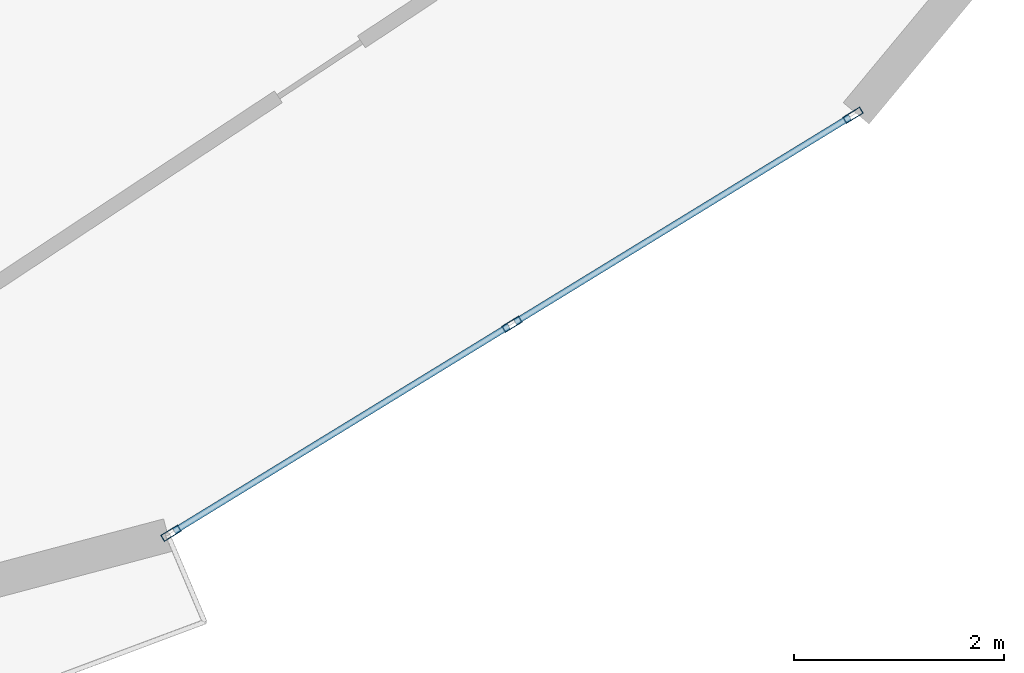
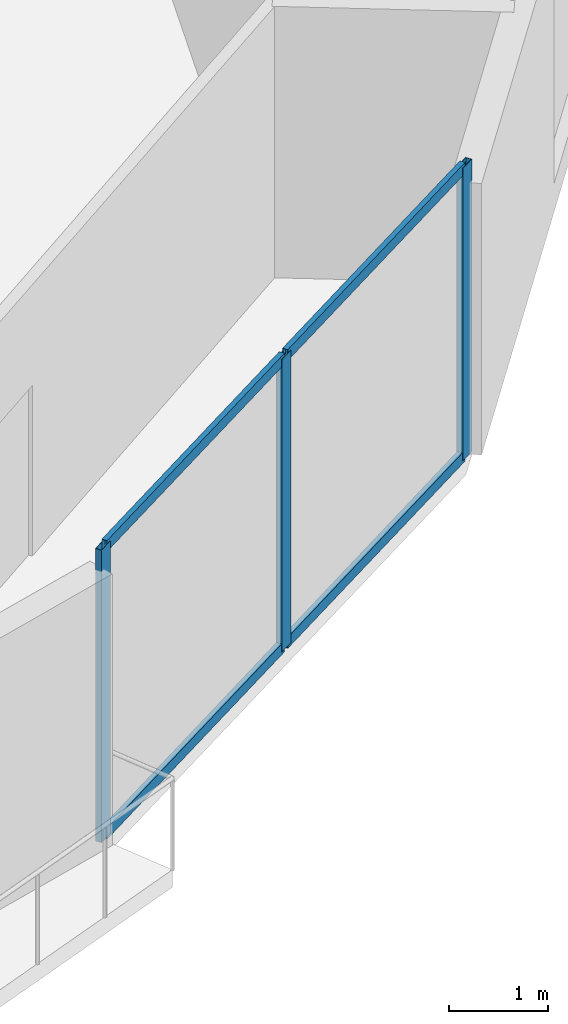
# One storey, part 8 of 23: 7 members, 1 element without a shape of its own.
"""IFC4 building model written with IfcOpenShell, lengths in metres."""

from ifc_helpers import new_model, si_unit, direction, frame, origin, origin_2d, place, context, subcontext, project, spatial, hollow_rectangle, extrude, source, transform, mapped, material, layer, layer_set, material_profile, profile_set, type_object, element, aggregate, save


model = new_model("IFC4")

# Units and contexts
model_context = context("Model", 3, precision=1e-05, world=origin(), true_north=direction((0.0, 1.0)))
body_context = subcontext(model_context, "Body", "Model", "MODEL_VIEW")
ifc_project = project(units=[si_unit("LENGTHUNIT", "METRE"), si_unit("AREAUNIT", "SQUARE_METRE"), si_unit("VOLUMEUNIT", "CUBIC_METRE"), si_unit("PLANEANGLEUNIT", "RADIAN"), si_unit("MASSUNIT", "GRAM", prefix="KILO")], contexts=[model_context])

# Site, building, storey
site_placement = place(None, origin())
site = spatial("IfcSite", under=ifc_project, at=site_placement, CompositionType="ELEMENT")
building_placement = place(site_placement, origin())
building = spatial("IfcBuilding", under=site, at=building_placement, Name="Solvirekh Grand Hotel", CompositionType="ELEMENT")
storey_placement = place(building_placement, frame((0.0, 0.0, 39.199951171875)))
storey = spatial("IfcBuildingStorey", under=building, at=storey_placement, Name="L08", CompositionType="ELEMENT", Elevation=39.199951171875)

# Curtain wall, members
ifc_material = material(Name="Anodized Bronze Aluminium 6063-T6", Category="aluminium")
ifc_layer = layer(ifc_material, 0.18994140625)
ifc_layer_set = layer_set([ifc_layer], Name="Anodized Bronze Aluminium 6063-T6")
curtain_wall_type = type_object("IfcCurtainWallType", Name="CW_Sys2_LowZoneFlushBronzeCW", PredefinedType="NOTDEFINED", material=ifc_layer_set)
curtain_wall_placement = place(storey_placement, origin())
curtain_wall = element("IfcCurtainWall", 1, at=curtain_wall_placement, inside=storey, type_object=curtain_wall_type, Name="L08 unitised bronze-glass curtain wall CW-L08-C18", PredefinedType="NOTDEFINED")
ifc_material_profile_1 = material_profile(ifc_material, hollow_rectangle(XDim=0.070068359375, YDim=0.18994140625, WallThickness=0.0048828125, at=origin_2d()), Name="ALU RHS 190X70X5")
ifc_profile_set_1 = profile_set([ifc_material_profile_1], Name="Anodized Bronze Aluminium 6063-T6")
member_type_1 = type_object("IfcMemberType", Name="CWMullion_Sys2", PredefinedType="MULLION", material=ifc_profile_set_1)
shared_shape_1 = source(origin(), body_context, "Body", "SweptSolid", [
    extrude(hollow_rectangle(XDim=0.070068359375, YDim=0.18994140625, WallThickness=0.0048828125, at=origin_2d()), origin(), (0.0, 0.0, 1.0), 3.60009765625),
])
member_1_placement = place(storey_placement, frame((14.52880859375, -19.74169921875, 0.0), z_axis=(0.0, 0.0, 1.0), x_axis=(-0.522489018681, 0.852646014098, 0.0)))
member_1 = element("IfcMember", 2, at=member_1_placement, type_object=member_type_1, Name="U02 mullion 1", PredefinedType="MULLION", context=body_context, shape_type="MappedRepresentation", body=[
    mapped(shared_shape_1, transform((0.0, 0.0, 0.0), x_axis=(1.0, 0.0, 0.0), y_axis=(0.0, 1.0, 0.0), z_axis=(0.0, 0.0, 1.0), scale=1.0)),
])
member_2_placement = place(storey_placement, frame((17.783935546875, -17.7470703125, 0.0), z_axis=(0.0, 0.0, 1.0), x_axis=(-0.522489018681, 0.852646014098, 0.0)))
member_2 = element("IfcMember", 3, at=member_2_placement, type_object=member_type_1, Name="U02 mullion 2", PredefinedType="MULLION", context=body_context, shape_type="MappedRepresentation", body=[
    mapped(shared_shape_1, transform((0.0, 0.0, 0.0), x_axis=(1.0, 0.0, 0.0), y_axis=(0.0, 1.0, 0.0), z_axis=(0.0, 0.0, 1.0), scale=1.0)),
])
member_3_placement = place(storey_placement, frame((21.0390625, -15.752197265625, 0.0), z_axis=(0.0, 0.0, 1.0), x_axis=(-0.522489018681, 0.852646014098, 0.0)))
member_3 = element("IfcMember", 4, at=member_3_placement, type_object=member_type_1, Name="U02 mullion 3", PredefinedType="MULLION", context=body_context, shape_type="MappedRepresentation", body=[
    mapped(shared_shape_1, transform((0.0, 0.0, 0.0), x_axis=(1.0, 0.0, 0.0), y_axis=(0.0, 1.0, 0.0), z_axis=(0.0, 0.0, 1.0), scale=1.0)),
])
ifc_material_profile_2 = material_profile(ifc_material, hollow_rectangle(XDim=0.06005859375, YDim=0.135009765625, WallThickness=0.00390625, at=origin_2d()), Name="ALU RHS 135X60X4")
ifc_profile_set_2 = profile_set([ifc_material_profile_2], Name="Anodized Bronze Aluminium 6063-T6")
member_type_2 = type_object("IfcMemberType", Name="CWTransom_Sys2", PredefinedType="USERDEFINED", material=ifc_profile_set_2)
shared_shape_2 = source(origin(), body_context, "Body", "SweptSolid", [
    extrude(hollow_rectangle(XDim=0.06005859375, YDim=0.135009765625, WallThickness=0.00390625, at=origin_2d()), origin(), (0.0, 0.0, 1.0), 3.747802734375),
])
member_4_placement = place(storey_placement, frame((14.55859375, -19.723388671875, 0.030029296875), z_axis=(0.852667719824, 0.522453595614, 0.0), x_axis=(-0.522453595614, 0.852667719824, 0.0)))
member_4 = element("IfcMember", 5, at=member_4_placement, type_object=member_type_2, Name="U02 transom 1.1", ObjectType="TRANSOM", PredefinedType="USERDEFINED", context=body_context, shape_type="MappedRepresentation", body=[
    mapped(shared_shape_2, transform((0.0, 0.0, 0.0), x_axis=(1.0, 0.0, 0.0), y_axis=(0.0, 1.0, 0.0), z_axis=(0.0, 0.0, 1.0), scale=1.0)),
])
member_5_placement = place(storey_placement, frame((14.55859375, -19.723388671875, 3.570068359375), z_axis=(0.852667719824, 0.522453595614, 0.0), x_axis=(-0.522453595614, 0.852667719824, 0.0)))
member_5 = element("IfcMember", 6, at=member_5_placement, type_object=member_type_2, Name="U02 transom 1.2", ObjectType="TRANSOM", PredefinedType="USERDEFINED", context=body_context, shape_type="MappedRepresentation", body=[
    mapped(shared_shape_2, transform((0.0, 0.0, 0.0), x_axis=(1.0, 0.0, 0.0), y_axis=(0.0, 1.0, 0.0), z_axis=(0.0, 0.0, 1.0), scale=1.0)),
])
member_6_placement = place(storey_placement, frame((17.813720703125, -17.728759765625, 0.030029296875), z_axis=(0.852638699263, 0.522500955519, 0.0), x_axis=(-0.522500955519, 0.852638699263, 0.0)))
member_6 = element("IfcMember", 7, at=member_6_placement, type_object=member_type_2, Name="U02 transom 2.1", ObjectType="TRANSOM", PredefinedType="USERDEFINED", context=body_context, shape_type="MappedRepresentation", body=[
    mapped(shared_shape_2, transform((0.0, 0.0, 0.0), x_axis=(1.0, 0.0, 0.0), y_axis=(0.0, 1.0, 0.0), z_axis=(0.0, 0.0, 1.0), scale=1.0)),
])
member_7_placement = place(storey_placement, frame((17.813720703125, -17.728759765625, 3.570068359375), z_axis=(0.852638699263, 0.522500955519, 0.0), x_axis=(-0.522500955519, 0.852638699263, 0.0)))
member_7 = element("IfcMember", 8, at=member_7_placement, type_object=member_type_2, Name="U02 transom 2.2", ObjectType="TRANSOM", PredefinedType="USERDEFINED", context=body_context, shape_type="MappedRepresentation", body=[
    mapped(shared_shape_2, transform((0.0, 0.0, 0.0), x_axis=(1.0, 0.0, 0.0), y_axis=(0.0, 1.0, 0.0), z_axis=(0.0, 0.0, 1.0), scale=1.0)),
])
aggregate(curtain_wall, [member_1, member_2, member_3, member_4, member_5, member_6, member_7])

save(model, "model.ifc")
